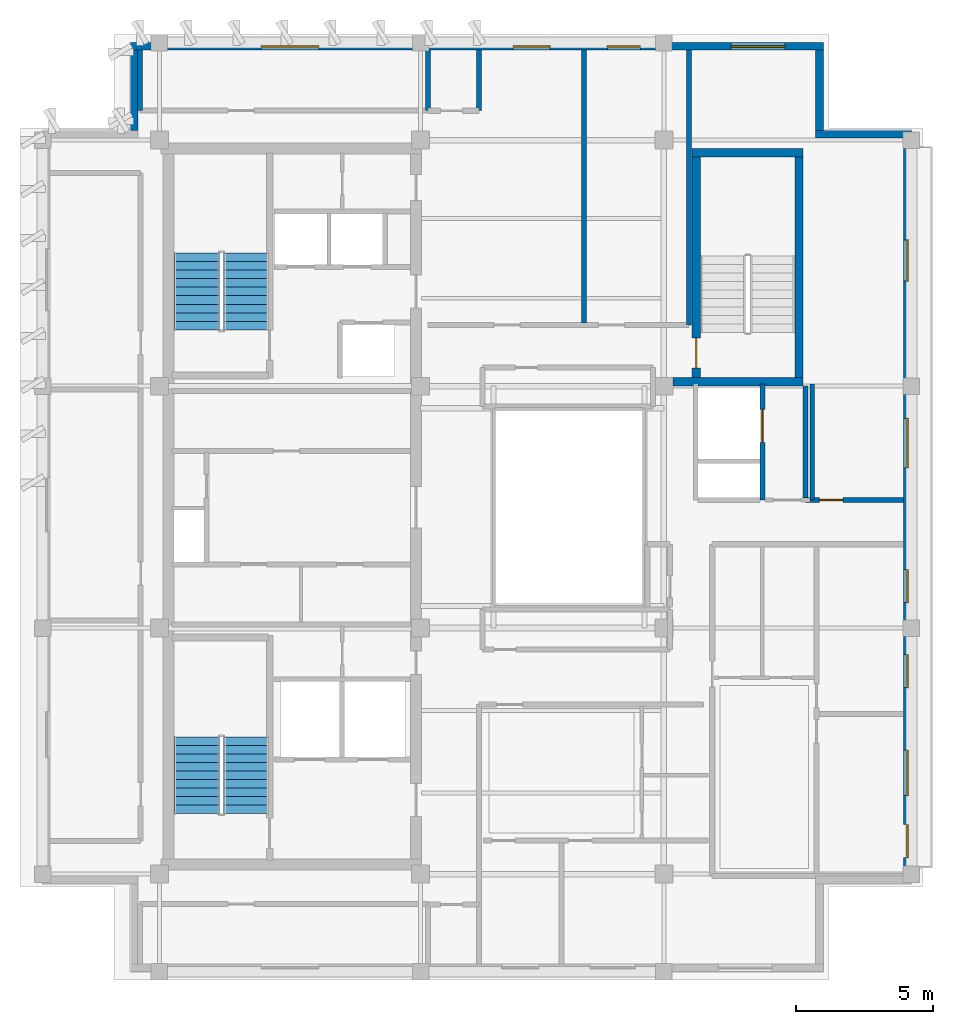
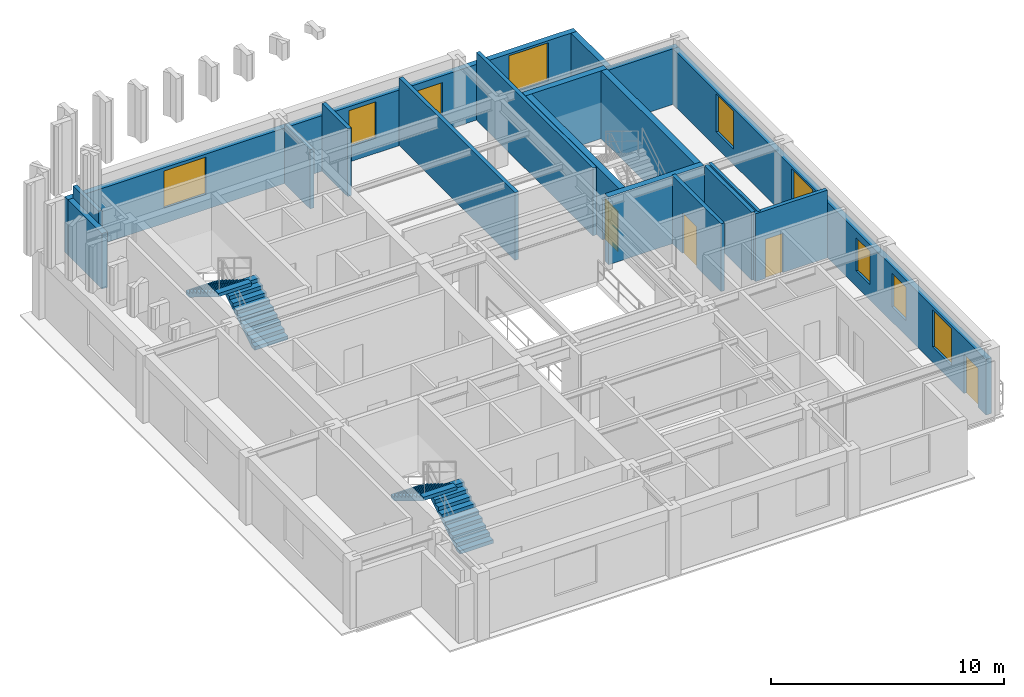
# One storey, part 5 of 9: 18 walls, 9 windows, 4 doors, 4 stair flights, 13 openings, 2 elements without a shape of their own.
"""IFC4 building model written with IfcOpenShell, lengths in metres."""

from ifc_helpers import new_model, si_unit, direction, frame, frame_2d, origin, place, context, subcontext, project, spatial, polyline, rectangle, outline, extrude, material, layer, layer_set, type_object, element, fill, aggregate, save


model = new_model("IFC4")

# Units and contexts
model_context = context("Model", 3, precision=1e-05, world=origin(), true_north=direction((0.0, 1.0)))
body_context = subcontext(model_context, "Body", "Model", "MODEL_VIEW")
ifc_project = project(units=[si_unit("LENGTHUNIT", "METRE"), si_unit("AREAUNIT", "SQUARE_METRE"), si_unit("VOLUMEUNIT", "CUBIC_METRE"), si_unit("PLANEANGLEUNIT", "RADIAN"), si_unit("MASSUNIT", "GRAM", prefix="KILO")], contexts=[model_context])

# Site, building, storey
site_placement = place(None, origin())
site = spatial("IfcSite", under=ifc_project, at=site_placement, CompositionType="ELEMENT")
building_placement = place(site_placement, origin())
building = spatial("IfcBuilding", under=site, at=building_placement, Name="Kundavana Baori Tower", CompositionType="ELEMENT")
storey_placement = place(building_placement, frame((0.0, 0.0, 342.89990234375)))
storey = spatial("IfcBuildingStorey", under=building, at=storey_placement, Name="L85", CompositionType="ELEMENT", Elevation=342.89990234375)

# Wall, openings, door, windows
ifc_material_1 = material(Name="Red-Buff Dholpur Sandstone Cladding on Concrete C40/50", Category="masonry")
ifc_layer_1 = layer(ifc_material_1, 0.280029296875, Name="WL-EXT-SAND-280")
ifc_layer_set_1 = layer_set([ifc_layer_1], Name="Red-Buff Dholpur Sandstone Cladding on Concrete C40/50")
wall_type_1 = type_object("IfcWallType", Name="WL-EXT-SAND-280", PredefinedType="STANDARD", material=ifc_layer_set_1)
wall_1_placement = place(storey_placement, frame((42.659912109375, 15.179931640625, 0.0), z_axis=(0.0, 0.0, 1.0), x_axis=(0.0, 1.0, 0.0)))
wall_1 = element("IfcWall", 1, at=wall_1_placement, inside=storey, type_object=wall_type_1, Name="L85 Exterior Insulated Facade Wall 04", PredefinedType="STANDARD", context=body_context, shape_type="SweptSolid", body=[
    extrude(rectangle(XDim=26.840087890625, YDim=0.280029296875, at=frame_2d((13.419921875, 0.0))), origin(), (0.0, 0.0, 1.0), 2.91015625),
])
opening_1_placement = place(wall_1_placement, frame((0.669921875, 0.0, 0.0)))
opening_1 = element("IfcOpeningElement", 2, at=opening_1_placement, cuts=wall_1, Name="Opening TD-1", PredefinedType="OPENING", context=body_context, shape_type="SweptSolid", body=[
    extrude(rectangle(XDim=1.199951171875, YDim=2.050048828125, at=frame_2d((0.60009765625, 1.02490234375))), frame((0.0, 0.14990234375, 0.0), z_axis=(0.0, -1.0, 0.0), x_axis=(1.0, 0.0, 0.0)), (0.0, 0.0, 1.0), 0.300048828125),
])
opening_2_placement = place(wall_1_placement, frame((2.929931640625, 0.0, 0.800048828125)))
opening_2 = element("IfcOpeningElement", 3, at=opening_2_placement, cuts=wall_1, Name="Opening W-08", PredefinedType="OPENING", context=body_context, shape_type="SweptSolid", body=[
    extrude(rectangle(XDim=1.64990234375, YDim=1.949951171875, at=frame_2d((0.824951171875, 0.97509765625))), frame((0.0, 0.14990234375, 0.0), z_axis=(0.0, -1.0, 0.0), x_axis=(1.0, 0.0, 0.0)), (0.0, 0.0, 1.0), 0.300048828125),
])
opening_3_placement = place(wall_1_placement, frame((6.85498046875, 0.0, 0.800048828125)))
opening_3 = element("IfcOpeningElement", 4, at=opening_3_placement, cuts=wall_1, Name="Opening W-03", PredefinedType="OPENING", context=body_context, shape_type="SweptSolid", body=[
    extrude(rectangle(XDim=1.199951171875, YDim=1.75, at=frame_2d((0.60009765625, 0.875))), frame((0.0, 0.14990234375, 0.0), z_axis=(0.0, -1.0, 0.0), x_axis=(1.0, 0.0, 0.0)), (0.0, 0.0, 1.0), 0.300048828125),
])
opening_4_placement = place(wall_1_placement, frame((9.945068359375, 0.0, 0.800048828125)))
opening_4 = element("IfcOpeningElement", 5, at=opening_4_placement, cuts=wall_1, Name="Opening W-03", PredefinedType="OPENING", context=body_context, shape_type="SweptSolid", body=[
    extrude(rectangle(XDim=1.199951171875, YDim=1.75, at=frame_2d((0.60009765625, 0.875))), frame((0.0, 0.14990234375, 0.0), z_axis=(0.0, -1.0, 0.0), x_axis=(1.0, 0.0, 0.0)), (0.0, 0.0, 1.0), 0.300048828125),
])
opening_5_placement = place(wall_1_placement, frame((14.85009765625, 0.0, 0.800048828125)))
opening_5 = element("IfcOpeningElement", 6, at=opening_5_placement, cuts=wall_1, Name="Opening W-01", PredefinedType="OPENING", context=body_context, shape_type="SweptSolid", body=[
    extrude(rectangle(XDim=1.800048828125, YDim=2.0, at=frame_2d((0.89990234375, 1.0))), frame((0.0, 0.14990234375, 0.0), z_axis=(0.0, -1.0, 0.0), x_axis=(1.0, 0.0, 0.0)), (0.0, 0.0, 1.0), 0.300048828125),
])
opening_6_placement = place(wall_1_placement, frame((21.64501953125, 0.0, 0.800048828125)))
opening_6 = element("IfcOpeningElement", 7, at=opening_6_placement, cuts=wall_1, Name="Opening W-02", PredefinedType="OPENING", context=body_context, shape_type="SweptSolid", body=[
    extrude(rectangle(XDim=1.5, YDim=2.0, at=frame_2d((0.75, 1.0))), frame((0.0, 0.14990234375, 0.0), z_axis=(0.0, -1.0, 0.0), x_axis=(1.0, 0.0, 0.0)), (0.0, 0.0, 1.0), 0.300048828125),
])
ifc_material_2 = material(Name="Architectural Patinated Bronze Metalwork")
door_type_1 = type_object("IfcDoorType", Name="DR-EXT-TER-1200", OperationType="NOTDEFINED", PredefinedType="DOOR", material=ifc_material_2)
door_1_placement = place(opening_1_placement, frame((1.199951171875, 0.0, 0.0), z_axis=(0.0, 0.0, 1.0), x_axis=(-1.0, 0.0, 0.0)))
door_1 = element("IfcDoor", 8, at=door_1_placement, inside=storey, type_object=door_type_1, Name="L85 Terrace Access Door E", OperationType="SINGLE_SWING_RIGHT", OverallHeight=2.050048828125, OverallWidth=1.199951171875, PredefinedType="DOOR", context=body_context, shape_type="SweptSolid", body=[
    extrude(rectangle(XDim=1.199951171875, YDim=2.050048828125, at=frame_2d((0.60009765625, 1.02490234375))), frame((0.0, 0.02490234375, 0.0), z_axis=(0.0, -1.0, 0.0), x_axis=(1.0, 0.0, 0.0)), (0.0, 0.0, 1.0), 0.050048828125),
])
fill(opening_1, door_1)
ifc_material_3 = material(Name="Double-Glazed Solar-Control Low-E Insulated Glass", Category="glass")
window_type_1 = type_object("IfcWindowType", Name="WIN-LOG-1200x1750", PartitioningType="SINGLE_PANEL", PredefinedType="WINDOW", material=ifc_material_3)
window_1_placement = place(opening_3_placement, origin())
window_1 = element("IfcWindow", 9, at=window_1_placement, inside=storey, type_object=window_type_1, Name="L85 Recessed Loggia Window E-2", OverallHeight=1.75, OverallWidth=1.199951171875, PartitioningType="SINGLE_PANEL", PredefinedType="WINDOW", context=body_context, shape_type="SweptSolid", body=[
    extrude(rectangle(XDim=1.199951171875, YDim=1.75, at=frame_2d((0.60009765625, 0.875))), frame((0.0, 0.030029296875, 0.0), z_axis=(0.0, -1.0, 0.0), x_axis=(1.0, 0.0, 0.0)), (0.0, 0.0, 1.0), 0.06005859375),
])
fill(opening_3, window_1)
window_2_placement = place(opening_4_placement, origin())
window_2 = element("IfcWindow", 10, at=window_2_placement, inside=storey, type_object=window_type_1, Name="L85 Recessed Loggia Window E-3", OverallHeight=1.75, OverallWidth=1.199951171875, PartitioningType="SINGLE_PANEL", PredefinedType="WINDOW", context=body_context, shape_type="SweptSolid", body=[
    extrude(rectangle(XDim=1.199951171875, YDim=1.75, at=frame_2d((0.60009765625, 0.875))), frame((0.0, 0.030029296875, 0.0), z_axis=(0.0, -1.0, 0.0), x_axis=(1.0, 0.0, 0.0)), (0.0, 0.0, 1.0), 0.06005859375),
])
fill(opening_4, window_2)
ifc_material_4 = material(Name="Double-Glazed Solar-Control Low-E Insulated Glass", Category="glass")
window_type_2 = type_object("IfcWindowType", Name="WIN-LOG-1500x2000", PartitioningType="SINGLE_PANEL", PredefinedType="WINDOW", material=ifc_material_4)
window_3_placement = place(opening_6_placement, origin())
window_3 = element("IfcWindow", 11, at=window_3_placement, inside=storey, type_object=window_type_2, Name="L85 Recessed Loggia Window E-5", OverallHeight=2.0, OverallWidth=1.5, PartitioningType="SINGLE_PANEL", PredefinedType="WINDOW", context=body_context, shape_type="SweptSolid", body=[
    extrude(rectangle(XDim=1.5, YDim=2.0, at=frame_2d((0.75, 1.0))), frame((0.0, 0.030029296875, 0.0), z_axis=(0.0, -1.0, 0.0), x_axis=(1.0, 0.0, 0.0)), (0.0, 0.0, 1.0), 0.06005859375),
])
fill(opening_6, window_3)
ifc_material_5 = material(Name="Double-Glazed Solar-Control Low-E Insulated Glass", Category="glass")
window_type_3 = type_object("IfcWindowType", Name="WIN-LOG-1650x1950", PartitioningType="SINGLE_PANEL", PredefinedType="WINDOW", material=ifc_material_5)
window_4_placement = place(opening_2_placement, origin())
window_4 = element("IfcWindow", 12, at=window_4_placement, inside=storey, type_object=window_type_3, Name="L85 Recessed Loggia Window E-1", OverallHeight=1.949951171875, OverallWidth=1.64990234375, PartitioningType="SINGLE_PANEL", PredefinedType="WINDOW", context=body_context, shape_type="SweptSolid", body=[
    extrude(rectangle(XDim=1.64990234375, YDim=1.949951171875, at=frame_2d((0.824951171875, 0.97509765625))), frame((0.0, 0.030029296875, 0.0), z_axis=(0.0, -1.0, 0.0), x_axis=(1.0, 0.0, 0.0)), (0.0, 0.0, 1.0), 0.06005859375),
])
fill(opening_2, window_4)
ifc_material_6 = material(Name="Double-Glazed Solar-Control Low-E Insulated Glass", Category="glass")
window_type_4 = type_object("IfcWindowType", Name="WIN-LOG-1800x2000", PartitioningType="SINGLE_PANEL", PredefinedType="WINDOW", material=ifc_material_6)
window_5_placement = place(opening_5_placement, origin())
window_5 = element("IfcWindow", 13, at=window_5_placement, inside=storey, type_object=window_type_4, Name="L85 Recessed Loggia Window E-4", OverallHeight=2.0, OverallWidth=1.800048828125, PartitioningType="SINGLE_PANEL", PredefinedType="WINDOW", context=body_context, shape_type="SweptSolid", body=[
    extrude(rectangle(XDim=1.800048828125, YDim=2.0, at=frame_2d((0.89990234375, 1.0))), frame((0.0, 0.030029296875, 0.0), z_axis=(0.0, -1.0, 0.0), x_axis=(1.0, 0.0, 0.0)), (0.0, 0.0, 1.0), 0.06005859375),
])
fill(opening_5, window_5)

# Walls
wall_2_placement = place(storey_placement, frame((42.800048828125, 42.159912109375, 0.0), z_axis=(0.0, 0.0, 1.0), x_axis=(-1.0, 0.0, 0.0)))
element("IfcWall", 14, at=wall_2_placement, inside=storey, type_object=wall_type_1, Name="L85 Exterior Insulated Facade Wall 05", PredefinedType="STANDARD", context=body_context, shape_type="SweptSolid", body=[
    extrude(rectangle(XDim=3.47998046875, YDim=0.280029296875, at=frame_2d((1.739990234375, 0.0))), origin(), (0.0, 0.0, 1.0), 2.91015625),
])
wall_3_placement = place(storey_placement, frame((39.4599609375, 42.300048828125, 0.0), z_axis=(0.0, 0.0, 1.0), x_axis=(0.0, 1.0, 0.0)))
element("IfcWall", 15, at=wall_3_placement, inside=storey, type_object=wall_type_1, Name="L85 Exterior Insulated Facade Wall 06", PredefinedType="STANDARD", context=body_context, shape_type="SweptSolid", body=[
    extrude(rectangle(XDim=2.919921875, YDim=0.280029296875, at=frame_2d((1.4599609375, 0.0))), origin(), (0.0, 0.0, 1.0), 2.91015625),
])

# Wall, openings, windows
wall_4_placement = place(storey_placement, frame((39.60009765625, 45.360107421875, 0.0), z_axis=(0.0, 0.0, 1.0), x_axis=(-1.0, 0.0, 0.0)))
wall_4 = element("IfcWall", 16, at=wall_4_placement, inside=storey, type_object=wall_type_1, Name="L85 Exterior Insulated Facade Wall 07", PredefinedType="STANDARD", context=body_context, shape_type="SweptSolid", body=[
    extrude(rectangle(XDim=25.2001953125, YDim=0.280029296875, at=frame_2d((12.60009765625, 0.0))), origin(), (0.0, 0.0, 1.0), 2.91015625),
])
opening_7_placement = place(wall_4_placement, frame((18.35009765625, 0.0, 0.800048828125)))
opening_7 = element("IfcOpeningElement", 17, at=opening_7_placement, cuts=wall_4, Name="Opening W-05", PredefinedType="OPENING", context=body_context, shape_type="SweptSolid", body=[
    extrude(rectangle(XDim=2.10009765625, YDim=1.949951171875, at=frame_2d((1.050048828125, 0.97509765625))), frame((0.0, 0.14990234375, 0.0), z_axis=(0.0, -1.0, 0.0), x_axis=(1.0, 0.0, 0.0)), (0.0, 0.0, 1.0), 0.300048828125),
])
opening_8_placement = place(wall_4_placement, frame((9.93505859375, 0.0, 0.800048828125)))
opening_8 = element("IfcOpeningElement", 18, at=opening_8_placement, cuts=wall_4, Name="Opening W-07", PredefinedType="OPENING", context=body_context, shape_type="SweptSolid", body=[
    extrude(rectangle(XDim=1.35009765625, YDim=1.89990234375, at=frame_2d((0.675048828125, 0.949951171875))), frame((0.0, 0.14990234375, 0.0), z_axis=(0.0, -1.0, 0.0), x_axis=(1.0, 0.0, 0.0)), (0.0, 0.0, 1.0), 0.300048828125),
])
opening_9_placement = place(wall_4_placement, frame((6.64990234375, 0.0, 0.800048828125)))
opening_9 = element("IfcOpeningElement", 19, at=opening_9_placement, cuts=wall_4, Name="Opening W-03", PredefinedType="OPENING", context=body_context, shape_type="SweptSolid", body=[
    extrude(rectangle(XDim=1.199951171875, YDim=1.75, at=frame_2d((0.60009765625, 0.875))), frame((0.0, 0.14990234375, 0.0), z_axis=(0.0, -1.0, 0.0), x_axis=(1.0, 0.0, 0.0)), (0.0, 0.0, 1.0), 0.300048828125),
])
opening_10_placement = place(wall_4_placement, frame((1.39990234375, 0.0, 0.800048828125)))
opening_10 = element("IfcOpeningElement", 20, at=opening_10_placement, cuts=wall_4, Name="Opening W-09", PredefinedType="OPENING", context=body_context, shape_type="SweptSolid", body=[
    extrude(rectangle(XDim=1.949951171875, YDim=2.0, at=frame_2d((0.97509765625, 1.0))), frame((0.0, 0.14990234375, 0.0), z_axis=(0.0, -1.0, 0.0), x_axis=(1.0, 0.0, 0.0)), (0.0, 0.0, 1.0), 0.300048828125),
])
window_6_placement = place(opening_9_placement, origin())
window_6 = element("IfcWindow", 21, at=window_6_placement, inside=storey, type_object=window_type_1, Name="L85 Recessed Loggia Window N-3", OverallHeight=1.75, OverallWidth=1.199951171875, PartitioningType="SINGLE_PANEL", PredefinedType="WINDOW", context=body_context, shape_type="SweptSolid", body=[
    extrude(rectangle(XDim=1.199951171875, YDim=1.75, at=frame_2d((0.60009765625, 0.875))), frame((0.0, 0.030029296875, 0.0), z_axis=(0.0, -1.0, 0.0), x_axis=(1.0, 0.0, 0.0)), (0.0, 0.0, 1.0), 0.06005859375),
])
fill(opening_9, window_6)
ifc_material_7 = material(Name="Double-Glazed Solar-Control Low-E Insulated Glass", Category="glass")
window_type_5 = type_object("IfcWindowType", Name="WIN-LOG-1350x1900", PartitioningType="SINGLE_PANEL", PredefinedType="WINDOW", material=ifc_material_7)
window_7_placement = place(opening_8_placement, origin())
window_7 = element("IfcWindow", 22, at=window_7_placement, inside=storey, type_object=window_type_5, Name="L85 Recessed Loggia Window N-2", OverallHeight=1.89990234375, OverallWidth=1.35009765625, PartitioningType="SINGLE_PANEL", PredefinedType="WINDOW", context=body_context, shape_type="SweptSolid", body=[
    extrude(rectangle(XDim=1.35009765625, YDim=1.89990234375, at=frame_2d((0.675048828125, 0.949951171875))), frame((0.0, 0.030029296875, 0.0), z_axis=(0.0, -1.0, 0.0), x_axis=(1.0, 0.0, 0.0)), (0.0, 0.0, 1.0), 0.06005859375),
])
fill(opening_8, window_7)
ifc_material_8 = material(Name="Double-Glazed Solar-Control Low-E Insulated Glass", Category="glass")
window_type_6 = type_object("IfcWindowType", Name="WIN-LOG-1950x2000", PartitioningType="SINGLE_PANEL", PredefinedType="WINDOW", material=ifc_material_8)
window_8_placement = place(opening_10_placement, origin())
window_8 = element("IfcWindow", 23, at=window_8_placement, inside=storey, type_object=window_type_6, Name="L85 Recessed Loggia Window N-4", OverallHeight=2.0, OverallWidth=1.949951171875, PartitioningType="SINGLE_PANEL", PredefinedType="WINDOW", context=body_context, shape_type="SweptSolid", body=[
    extrude(rectangle(XDim=1.949951171875, YDim=2.0, at=frame_2d((0.97509765625, 1.0))), frame((0.0, 0.030029296875, 0.0), z_axis=(0.0, -1.0, 0.0), x_axis=(1.0, 0.0, 0.0)), (0.0, 0.0, 1.0), 0.06005859375),
])
fill(opening_10, window_8)
ifc_material_9 = material(Name="Double-Glazed Solar-Control Low-E Insulated Glass", Category="glass")
window_type_7 = type_object("IfcWindowType", Name="WIN-LOG-2100x1950", PartitioningType="SINGLE_PANEL", PredefinedType="WINDOW", material=ifc_material_9)
window_9_placement = place(opening_7_placement, origin())
window_9 = element("IfcWindow", 24, at=window_9_placement, inside=storey, type_object=window_type_7, Name="L85 Recessed Loggia Window N-1", OverallHeight=1.949951171875, OverallWidth=2.10009765625, PartitioningType="SINGLE_PANEL", PredefinedType="WINDOW", context=body_context, shape_type="SweptSolid", body=[
    extrude(rectangle(XDim=2.10009765625, YDim=1.949951171875, at=frame_2d((1.050048828125, 0.97509765625))), frame((0.0, 0.030029296875, 0.0), z_axis=(0.0, -1.0, 0.0), x_axis=(1.0, 0.0, 0.0)), (0.0, 0.0, 1.0), 0.06005859375),
])
fill(opening_7, window_9)

# Walls
wall_5_placement = place(storey_placement, frame((14.5400390625, 45.219970703125, 0.0), z_axis=(0.0, 0.0, 1.0), x_axis=(0.0, -1.0, 0.0)))
element("IfcWall", 25, at=wall_5_placement, inside=storey, type_object=wall_type_1, Name="L85 Exterior Insulated Facade Wall 08", PredefinedType="STANDARD", context=body_context, shape_type="SweptSolid", body=[
    extrude(rectangle(XDim=2.919921875, YDim=0.280029296875, at=frame_2d((1.4599609375, 0.0))), origin(), (0.0, 0.0, 1.0), 2.91015625),
])
ifc_material_10 = material(Name="Fire-Rated Gypsum Drywall on Galvanised Steel Studs", Category="steel")
ifc_layer_2 = layer(ifc_material_10, 0.14990234375, Name="WL-PART-150")
ifc_layer_set_2 = layer_set([ifc_layer_2], Name="Fire-Rated Gypsum Drywall on Galvanised Steel Studs")
wall_type_2 = type_object("IfcWallType", Name="WL-PART-150", PredefinedType="PARTITIONING", material=ifc_layer_set_2)
wall_6_placement = place(storey_placement, frame((39.199951171875, 28.860107421875, 0.0), z_axis=(0.0, 0.0, 1.0), x_axis=(0.0, 1.0, 0.0)))
element("IfcWall", 26, at=wall_6_placement, inside=storey, type_object=wall_type_2, Name="WL-L85-SVLOB-E", PredefinedType="PARTITIONING", context=body_context, shape_type="SweptSolid", body=[
    extrude(rectangle(XDim=4.219970703125, YDim=0.14990234375, at=frame_2d((2.10986328125, 0.0))), origin(), (0.0, 0.0, 1.0), 3.550048828125),
])
ifc_material_11 = material(Name="Autoclaved Aerated Concrete Blockwork Masonry", Category="masonry")
ifc_layer_3 = layer(ifc_material_11, 0.18505859375, Name="WL-PART-180")
ifc_layer_set_3 = layer_set([ifc_layer_3], Name="Autoclaved Aerated Concrete Blockwork Masonry")
wall_type_3 = type_object("IfcWallType", Name="WL-PART-180", PredefinedType="SOLIDWALL", material=ifc_layer_set_3)
wall_7_placement = place(storey_placement, frame((14.75, 43.030029296875, 0.0), z_axis=(0.0, 0.0, 1.0), x_axis=(0.0, 1.0, 0.0)))
element("IfcWall", 27, at=wall_7_placement, inside=storey, type_object=wall_type_3, Name="WL-L85-RNCW", PredefinedType="SOLIDWALL", context=body_context, shape_type="SweptSolid", body=[
    extrude(rectangle(XDim=2.18994140625, YDim=0.18505859375, at=frame_2d((1.094970703125, 0.0))), origin(), (0.0, 0.0, 1.0), 3.550048828125),
])
wall_8_placement = place(storey_placement, frame((25.219970703125, 43.030029296875, 0.0), z_axis=(0.0, 0.0, 1.0), x_axis=(0.0, 1.0, 0.0)))
element("IfcWall", 28, at=wall_8_placement, inside=storey, type_object=wall_type_3, Name="WL-L85-RNCE", PredefinedType="SOLIDWALL", context=body_context, shape_type="SweptSolid", body=[
    extrude(rectangle(XDim=2.18994140625, YDim=0.18505859375, at=frame_2d((1.094970703125, 0.0))), origin(), (0.0, 0.0, 1.0), 3.10009765625),
])
wall_9_placement = place(storey_placement, frame((34.719970703125, 35.219970703125, 0.0), z_axis=(0.0, 0.0, 1.0), x_axis=(0.0, 1.0, 0.0)))
element("IfcWall", 29, at=wall_9_placement, inside=storey, type_object=wall_type_3, Name="WL-L85-RNEND", PredefinedType="SOLIDWALL", context=body_context, shape_type="SweptSolid", body=[
    extrude(rectangle(XDim=10.0, YDim=0.18505859375, at=frame_2d((5.0, 0.0))), origin(), (0.0, 0.0, 1.0), 3.550048828125),
])
wall_10_placement = place(storey_placement, frame((30.89990234375, 35.300048828125, 0.0), z_axis=(0.0, 0.0, 1.0), x_axis=(0.0, 1.0, 0.0)))
element("IfcWall", 30, at=wall_10_placement, inside=storey, type_object=wall_type_3, Name="WL-L85-RND85", PredefinedType="SOLIDWALL", context=body_context, shape_type="SweptSolid", body=[
    extrude(rectangle(XDim=9.919921875, YDim=0.18505859375, at=frame_2d((4.9599609375, 0.0))), origin(), (0.0, 0.0, 1.0), 3.550048828125),
])

# Wall, opening, door
wall_11_placement = place(storey_placement, frame((38.9599609375, 28.860107421875, 0.0), z_axis=(0.0, 0.0, 1.0), x_axis=(1.0, 0.0, 0.0)))
wall_11 = element("IfcWall", 31, at=wall_11_placement, inside=storey, type_object=wall_type_3, Name="WL-L85-CNES", PredefinedType="SOLIDWALL", context=body_context, shape_type="SweptSolid", body=[
    extrude(rectangle(XDim=3.56005859375, YDim=0.18505859375, at=frame_2d((1.780029296875, 0.0))), origin(), (0.0, 0.0, 1.0), 3.550048828125),
])
opening_11_placement = place(wall_11_placement, frame((0.5, 0.0, 0.0)))
opening_11 = element("IfcOpeningElement", 32, at=opening_11_placement, cuts=wall_11, Name="Opening WD-085", PredefinedType="OPENING", context=body_context, shape_type="SweptSolid", body=[
    extrude(rectangle(XDim=0.85009765625, YDim=2.050048828125, at=frame_2d((0.425048828125, 1.02490234375))), frame((0.0, 0.1025390625, 0.0), z_axis=(0.0, -1.0, 0.0), x_axis=(1.0, 0.0, 0.0)), (0.0, 0.0, 1.0), 0.205078125),
])
ifc_material_12 = material(Name="Engineered Teak Solid-Core Timber Veneer", Category="wood")
door_type_2 = type_object("IfcDoorType", Name="DR-WET-850", OperationType="NOTDEFINED", PredefinedType="DOOR", material=ifc_material_12)
door_2_placement = place(opening_11_placement, origin())
door_2 = element("IfcDoor", 33, at=door_2_placement, inside=storey, type_object=door_type_2, Name="DR-L85-RCNE", OperationType="SINGLE_SWING_LEFT", OverallHeight=2.050048828125, OverallWidth=0.85009765625, PredefinedType="DOOR", context=body_context, shape_type="SweptSolid", body=[
    extrude(rectangle(XDim=0.85009765625, YDim=2.050048828125, at=frame_2d((0.425048828125, 1.02490234375))), frame((0.0, 0.02490234375, 0.0), z_axis=(0.0, -1.0, 0.0), x_axis=(1.0, 0.0, 0.0)), (0.0, 0.0, 1.0), 0.050048828125),
])
fill(opening_11, door_2)

# Walls
wall_12_placement = place(storey_placement, frame((38.9599609375, 28.93994140625, 0.0), z_axis=(0.0, 0.0, 1.0), x_axis=(0.0, 1.0, 0.0)))
element("IfcWall", 34, at=wall_12_placement, inside=storey, type_object=wall_type_3, Name="WL-L85-CNEW", PredefinedType="SOLIDWALL", context=body_context, shape_type="SweptSolid", body=[
    extrude(rectangle(XDim=4.06005859375, YDim=0.18505859375, at=frame_2d((2.030029296875, 0.0))), origin(), (0.0, 0.0, 1.0), 3.550048828125),
])
wall_13_placement = place(storey_placement, frame((27.080078125, 43.02001953125, 0.0), z_axis=(0.0, 0.0, 1.0), x_axis=(0.0, 1.0, 0.0)))
element("IfcWall", 35, at=wall_13_placement, inside=storey, type_object=wall_type_3, Name="WL-L85-CNCE", PredefinedType="SOLIDWALL", context=body_context, shape_type="SweptSolid", body=[
    extrude(rectangle(XDim=2.199951171875, YDim=0.18505859375, at=frame_2d((1.10009765625, 0.0))), origin(), (0.0, 0.0, 1.0), 3.550048828125),
])

# Wall, opening, door
ifc_material_13 = material(Name="Autoclaved Aerated Concrete Blockwork Masonry", Category="masonry")
ifc_layer_4 = layer(ifc_material_13, 0.179931640625, Name="WL-SHAFT-180")
ifc_layer_set_4 = layer_set([ifc_layer_4], Name="Autoclaved Aerated Concrete Blockwork Masonry")
wall_type_4 = type_object("IfcWallType", Name="WL-SHAFT-180", PredefinedType="SOLIDWALL", material=ifc_layer_set_4)
wall_14_placement = place(storey_placement, frame((37.389892578125, 28.860107421875, 0.0), z_axis=(0.0, 0.0, 1.0), x_axis=(0.0, 1.0, 0.0)))
wall_14 = element("IfcWall", 36, at=wall_14_placement, inside=storey, type_object=wall_type_4, Name="WL-L85-SVL-E", PredefinedType="SOLIDWALL", context=body_context, shape_type="SweptSolid", body=[
    extrude(rectangle(XDim=4.219970703125, YDim=0.179931640625, at=frame_2d((2.10986328125, 0.0))), origin(), (0.0, 0.0, 1.0), 3.550048828125),
])
opening_12_placement = place(wall_14_placement, frame((2.10009765625, 0.0, 0.0)))
opening_12 = element("IfcOpeningElement", 37, at=opening_12_placement, cuts=wall_14, Name="Opening LD-120", PredefinedType="OPENING", context=body_context, shape_type="SweptSolid", body=[
    extrude(rectangle(XDim=1.199951171875, YDim=2.1201171875, at=frame_2d((0.60009765625, 1.06005859375))), frame((0.0, 0.10009765625, 0.0), z_axis=(0.0, -1.0, 0.0), x_axis=(1.0, 0.0, 0.0)), (0.0, 0.0, 1.0), 0.199951171875),
])
ifc_material_14 = material(Name="Galvanised Steel Fire-Rated Door Leaf", Category="steel")
door_type_3 = type_object("IfcDoorType", Name="DR-SLIDE-LD1200", OperationType="NOTDEFINED", PredefinedType="DOOR", material=ifc_material_14)
door_3_placement = place(opening_12_placement, frame((1.199951171875, 0.0, 0.0), z_axis=(0.0, 0.0, 1.0), x_axis=(-1.0, 0.0, 0.0)))
door_3 = element("IfcDoor", 38, at=door_3_placement, inside=storey, type_object=door_type_3, Name="DR-L85-LD-SVL1", OperationType="DOUBLE_DOOR_SLIDING", OverallHeight=2.1201171875, OverallWidth=1.199951171875, PredefinedType="DOOR", context=body_context, shape_type="SweptSolid", body=[
    extrude(rectangle(XDim=1.199951171875, YDim=2.1201171875, at=frame_2d((0.60009765625, 1.06005859375))), frame((0.0, 0.02490234375, 0.0), z_axis=(0.0, -1.0, 0.0), x_axis=(1.0, 0.0, 0.0)), (0.0, 0.0, 1.0), 0.050048828125),
])
fill(opening_12, door_3)

# Walls
ifc_material_15 = material(Name="Concrete C50/60", Category="concrete")
ifc_layer_5 = layer(ifc_material_15, 0.300048828125, Name="WL-ST3-300")
ifc_layer_set_5 = layer_set([ifc_layer_5], Name="Concrete C50/60")
wall_type_5 = type_object("IfcWallType", Name="WL-ST3-300", PredefinedType="SHEAR", material=ifc_layer_set_5)
wall_15_placement = place(storey_placement, frame((34.125, 33.159912109375, 0.0), z_axis=(0.0, 0.0, 1.0), x_axis=(1.0, 0.0, 0.0)))
element("IfcWall", 39, at=wall_15_placement, inside=storey, type_object=wall_type_5, Name="L85 Stair ST3 South Shear Wall", PredefinedType="SHEAR", context=body_context, shape_type="SweptSolid", body=[
    extrude(rectangle(XDim=4.7451171875, YDim=0.300048828125, at=frame_2d((2.37255859375, 0.0))), origin(), (0.0, 0.0, 1.0), 3.550048828125),
])
wall_16_placement = place(storey_placement, frame((34.830078125, 41.489990234375, 0.0), z_axis=(0.0, 0.0, 1.0), x_axis=(1.0, 0.0, 0.0)))
element("IfcWall", 40, at=wall_16_placement, inside=storey, type_object=wall_type_5, Name="L85 Stair ST3 North Shear Wall", PredefinedType="SHEAR", context=body_context, shape_type="SweptSolid", body=[
    extrude(rectangle(XDim=4.0400390625, YDim=0.300048828125, at=frame_2d((2.02001953125, 0.0))), origin(), (0.0, 0.0, 1.0), 3.550048828125),
])

# Wall, opening, door
wall_17_placement = place(storey_placement, frame((34.97998046875, 33.31005859375, 0.0), z_axis=(0.0, 0.0, 1.0), x_axis=(0.0, 1.0, 0.0)))
wall_17 = element("IfcWall", 41, at=wall_17_placement, inside=storey, type_object=wall_type_5, Name="L85 Stair ST3 West Shear Wall", PredefinedType="SHEAR", context=body_context, shape_type="SweptSolid", body=[
    extrude(rectangle(XDim=8.030029296875, YDim=0.300048828125, at=frame_2d((4.01513671875, 0.0))), origin(), (0.0, 0.0, 1.0), 3.550048828125),
])
opening_13_placement = place(wall_17_placement, frame((0.35009765625, 0.0, 0.0)))
opening_13 = element("IfcOpeningElement", 42, at=opening_13_placement, cuts=wall_17, Name="Opening FD-110", PredefinedType="OPENING", context=body_context, shape_type="SweptSolid", body=[
    extrude(rectangle(XDim=1.10009765625, YDim=2.10009765625, at=frame_2d((0.550048828125, 1.050048828125))), frame((0.0, 0.16015625, 0.0), z_axis=(0.0, -1.0, 0.0), x_axis=(1.0, 0.0, 0.0)), (0.0, 0.0, 1.0), 0.320068359375),
])
ifc_material_16 = material(Name="Galvanised Steel Fire-Rated Door Leaf", Category="steel")
door_type_4 = type_object("IfcDoorType", Name="DR-FD120-1100", OperationType="NOTDEFINED", PredefinedType="DOOR", material=ifc_material_16)
door_4_placement = place(opening_13_placement, origin())
door_4 = element("IfcDoor", 43, at=door_4_placement, inside=storey, type_object=door_type_4, Name="DR-L85-ST3-W", OperationType="SINGLE_SWING_LEFT", OverallHeight=2.10009765625, OverallWidth=1.10009765625, PredefinedType="DOOR", context=body_context, shape_type="SweptSolid", body=[
    extrude(rectangle(XDim=1.10009765625, YDim=2.10009765625, at=frame_2d((0.550048828125, 1.050048828125))), frame((0.0, 0.02490234375, 0.0), z_axis=(0.0, -1.0, 0.0), x_axis=(1.0, 0.0, 0.0)), (0.0, 0.0, 1.0), 0.050048828125),
])
fill(opening_13, door_4)

# Wall
wall_18_placement = place(storey_placement, frame((38.719970703125, 33.31005859375, 0.0), z_axis=(0.0, 0.0, 1.0), x_axis=(0.0, 1.0, 0.0)))
element("IfcWall", 44, at=wall_18_placement, inside=storey, type_object=wall_type_5, Name="L85 Stair ST3 East Shear Wall", PredefinedType="SHEAR", context=body_context, shape_type="SweptSolid", body=[
    extrude(rectangle(XDim=8.030029296875, YDim=0.300048828125, at=frame_2d((4.01513671875, 0.0))), origin(), (0.0, 0.0, 1.0), 3.550048828125),
])

# Stair, stair flights
ifc_material_17 = material(Name="Concrete C40/50", Category="concrete")
stair_type = type_object("IfcStairType", Name="STR-DOG-1650", PredefinedType="HALF_TURN_STAIR", material=ifc_material_17)
stair_1_placement = place(storey_placement, origin())
stair_1 = element("IfcStair", 45, at=stair_1_placement, inside=storey, type_object=stair_type, Name="L85 Protected Exit Stair ST1", PredefinedType="HALF_TURN_STAIR")
ifc_material_18 = material(Name="Concrete C40/50", Category="concrete")
stair_flight_type = type_object("IfcStairFlightType", Name="SFL-RC-1650", PredefinedType="STRAIGHT", material=ifc_material_18)
stair_flight_1_placement = place(storey_placement, frame((18.614990234375, 17.449951171875, 0.0), z_axis=(0.0, 0.0, 1.0), x_axis=(0.0, 1.0, 0.0)))
stair_flight_1 = element("IfcStairFlight", 46, at=stair_flight_1_placement, type_object=stair_flight_type, Name="ST1 flight 1", NumberOfRisers=10, NumberOfTreads=9, PredefinedType="STRAIGHT", RiserHeight=0.19, TreadLength=0.31, context=body_context, shape_type="SweptSolid", body=[
    extrude(outline(polyline([(0.0, 0.0), (0.0, 0.18994140625), (0.31005859375, 0.18994140625), (0.31005859375, 0.3798828125), (0.6201171875, 0.3798828125), (0.6201171875, 0.570068359375), (0.929931640625, 0.570068359375), (0.929931640625, 0.760009765625), (1.239990234375, 0.760009765625), (1.239990234375, 0.949951171875), (1.550048828125, 0.949951171875), (1.550048828125, 1.139892578125), (1.860107421875, 1.139892578125), (1.860107421875, 1.330078125), (2.169921875, 1.330078125), (2.169921875, 1.52001953125), (2.47998046875, 1.52001953125), (2.47998046875, 1.7099609375), (2.7900390625, 1.7099609375), (2.7900390625, 1.89990234375), (2.7900390625, 1.5341796875), (0.286865234375, 0.0), (0.0, 0.0)])), frame((0.0, 0.824951171875, 0.0), z_axis=(0.0, -1.0, 0.0), x_axis=(1.0, 0.0, 0.0)), (0.0, 0.0, 1.0), 1.64990234375),
])
stair_flight_2_placement = place(storey_placement, frame((16.804931640625, 20.239990234375, 1.900146484375), z_axis=(0.0, 0.0, 1.0), x_axis=(0.0, -1.0, 0.0)))
stair_flight_2 = element("IfcStairFlight", 47, at=stair_flight_2_placement, type_object=stair_flight_type, Name="ST1 flight 2", NumberOfRisers=10, NumberOfTreads=9, PredefinedType="STRAIGHT", RiserHeight=0.19, TreadLength=0.31, context=body_context, shape_type="SweptSolid", body=[
    extrude(outline(polyline([(0.0, 0.0), (0.0, 0.18994140625), (0.31005859375, 0.18994140625), (0.31005859375, 0.3798828125), (0.6201171875, 0.3798828125), (0.6201171875, 0.570068359375), (0.929931640625, 0.570068359375), (0.929931640625, 0.760009765625), (1.239990234375, 0.760009765625), (1.239990234375, 0.949951171875), (1.550048828125, 0.949951171875), (1.550048828125, 1.139892578125), (1.860107421875, 1.139892578125), (1.860107421875, 1.330078125), (2.169921875, 1.330078125), (2.169921875, 1.52001953125), (2.47998046875, 1.52001953125), (2.47998046875, 1.7099609375), (2.7900390625, 1.7099609375), (2.7900390625, 1.89990234375), (2.7900390625, 1.5341796875), (0.286865234375, 0.0), (0.0, 0.0)])), frame((0.0, 0.824951171875, 0.0), z_axis=(0.0, -1.0, 0.0), x_axis=(1.0, 0.0, 0.0)), (0.0, 0.0, 1.0), 1.64990234375),
])
aggregate(stair_1, [stair_flight_1, stair_flight_2])

stair_2_placement = place(storey_placement, origin())
stair_2 = element("IfcStair", 48, at=stair_2_placement, inside=storey, type_object=stair_type, Name="L85 Protected Exit Stair ST2", PredefinedType="HALF_TURN_STAIR")
stair_flight_3_placement = place(storey_placement, frame((18.614990234375, 35.050048828125, 0.0), z_axis=(0.0, 0.0, 1.0), x_axis=(0.0, 1.0, 0.0)))
stair_flight_3 = element("IfcStairFlight", 49, at=stair_flight_3_placement, type_object=stair_flight_type, Name="ST2 flight 1", NumberOfRisers=10, NumberOfTreads=9, PredefinedType="STRAIGHT", RiserHeight=0.19, TreadLength=0.31, context=body_context, shape_type="SweptSolid", body=[
    extrude(outline(polyline([(0.0, 0.0), (0.0, 0.18994140625), (0.31005859375, 0.18994140625), (0.31005859375, 0.3798828125), (0.6201171875, 0.3798828125), (0.6201171875, 0.570068359375), (0.929931640625, 0.570068359375), (0.929931640625, 0.760009765625), (1.239990234375, 0.760009765625), (1.239990234375, 0.949951171875), (1.550048828125, 0.949951171875), (1.550048828125, 1.139892578125), (1.860107421875, 1.139892578125), (1.860107421875, 1.330078125), (2.169921875, 1.330078125), (2.169921875, 1.52001953125), (2.47998046875, 1.52001953125), (2.47998046875, 1.7099609375), (2.7900390625, 1.7099609375), (2.7900390625, 1.89990234375), (2.7900390625, 1.5341796875), (0.286865234375, 0.0), (0.0, 0.0)])), frame((0.0, 0.824951171875, 0.0), z_axis=(0.0, -1.0, 0.0), x_axis=(1.0, 0.0, 0.0)), (0.0, 0.0, 1.0), 1.64990234375),
])
stair_flight_4_placement = place(storey_placement, frame((16.804931640625, 37.840087890625, 1.900146484375), z_axis=(0.0, 0.0, 1.0), x_axis=(0.0, -1.0, 0.0)))
stair_flight_4 = element("IfcStairFlight", 50, at=stair_flight_4_placement, type_object=stair_flight_type, Name="ST2 flight 2", NumberOfRisers=10, NumberOfTreads=9, PredefinedType="STRAIGHT", RiserHeight=0.19, TreadLength=0.31, context=body_context, shape_type="SweptSolid", body=[
    extrude(outline(polyline([(0.0, 0.0), (0.0, 0.18994140625), (0.31005859375, 0.18994140625), (0.31005859375, 0.3798828125), (0.6201171875, 0.3798828125), (0.6201171875, 0.570068359375), (0.929931640625, 0.570068359375), (0.929931640625, 0.760009765625), (1.239990234375, 0.760009765625), (1.239990234375, 0.949951171875), (1.550048828125, 0.949951171875), (1.550048828125, 1.139892578125), (1.860107421875, 1.139892578125), (1.860107421875, 1.330078125), (2.169921875, 1.330078125), (2.169921875, 1.52001953125), (2.47998046875, 1.52001953125), (2.47998046875, 1.7099609375), (2.7900390625, 1.7099609375), (2.7900390625, 1.89990234375), (2.7900390625, 1.5341796875), (0.286865234375, 0.0), (0.0, 0.0)])), frame((0.0, 0.824951171875, 0.0), z_axis=(0.0, -1.0, 0.0), x_axis=(1.0, 0.0, 0.0)), (0.0, 0.0, 1.0), 1.64990234375),
])
aggregate(stair_2, [stair_flight_3, stair_flight_4])

save(model, "model.ifc")
